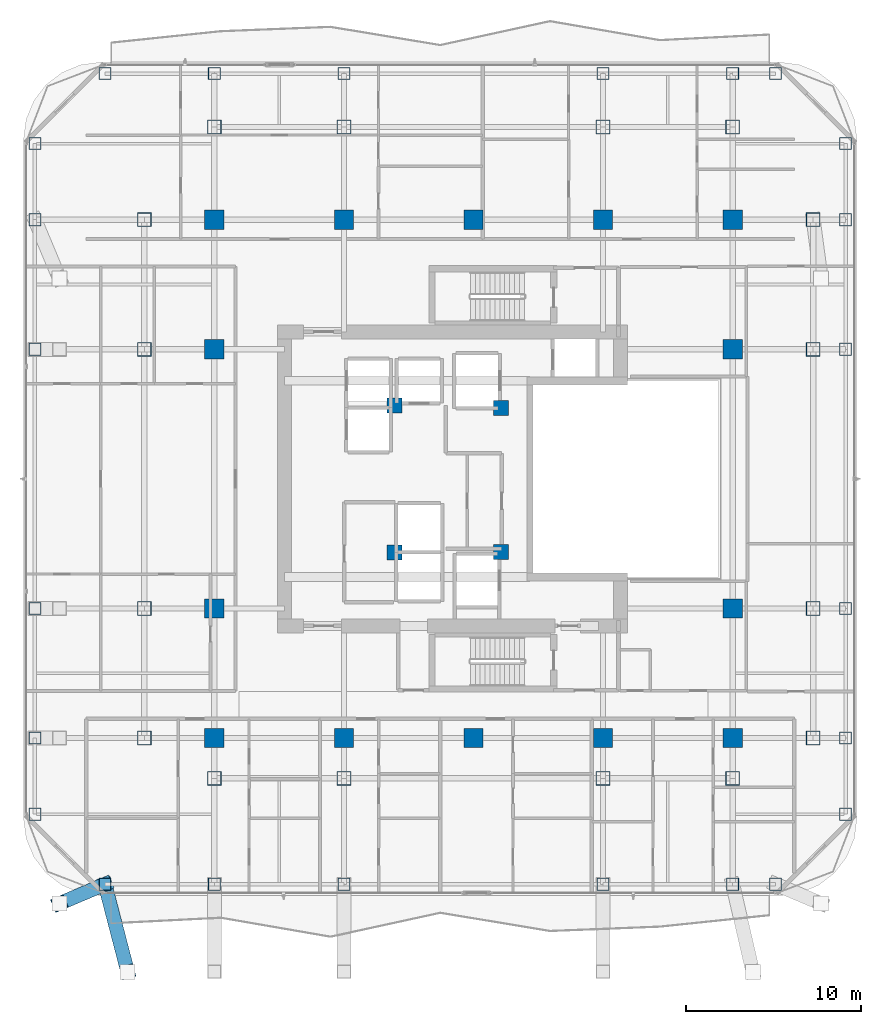
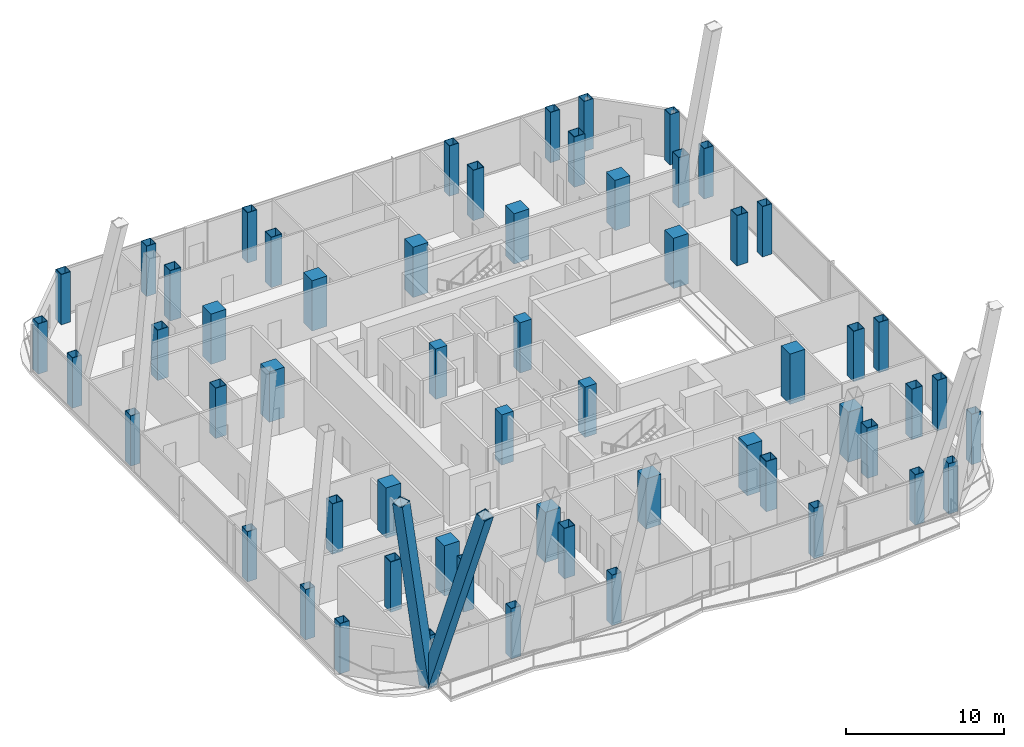
# One storey, part 1 of 34: 58 columns, 2 members.
"""IFC4 building model written with IfcOpenShell, lengths in metres."""

from ifc_helpers import new_model, si_unit, direction, frame, origin, origin_2d, place, context, subcontext, project, spatial, rectangle, hollow_rectangle, extrude, material, material_profile, profile_set, type_object, element, save


model = new_model("IFC4")

# Units and contexts
model_context = context("Model", 3, precision=1e-05, world=origin(), true_north=direction((0.0, 1.0)))
body_context = subcontext(model_context, "Body", "Model", "MODEL_VIEW")
ifc_project = project(units=[si_unit("LENGTHUNIT", "METRE"), si_unit("AREAUNIT", "SQUARE_METRE"), si_unit("VOLUMEUNIT", "CUBIC_METRE"), si_unit("PLANEANGLEUNIT", "RADIAN"), si_unit("MASSUNIT", "GRAM", prefix="KILO")], contexts=[model_context])

# Site, building, storey
site_placement = place(None, origin())
site = spatial("IfcSite", under=ifc_project, at=site_placement, CompositionType="ELEMENT")
building_placement = place(site_placement, origin())
building = spatial("IfcBuilding", under=site, at=building_placement, Name="Khorvyn Point Tower", CompositionType="ELEMENT")
storey_placement = place(building_placement, frame((0.0, 0.0, 175.800048828125)))
storey = spatial("IfcBuildingStorey", under=building, at=storey_placement, Name="L43", CompositionType="ELEMENT", Elevation=175.800048828125)

# Columns
ifc_material_1 = material(Name="Concrete C40/50", Category="concrete")
ifc_material_profile_1 = material_profile(ifc_material_1, rectangle(XDim=0.85009765625, YDim=0.85009765625, at=origin_2d()))
ifc_profile_set_1 = profile_set([ifc_material_profile_1], Name="Concrete C40/50 RC850x850")
column_type_1 = type_object("IfcColumnType", Name="Concrete C40/50 Column RC850x850", PredefinedType="COLUMN", material=ifc_profile_set_1)
for number, where, z_axis, x_axis, name in (
    (1, (-4.52001953125, -4.199951171875, 0.0), (0.0, 0.0, 1.0), (1.0, 0.0, 0.0), "L43 Crown Core Spine Column 1"),
    (2, (1.580078125, -4.179931640625, 0.0), (0.0, 0.0, 1.0), (1.0, 0.0, 0.0), "L43 Crown Core Spine Column 2"),
    (3, (1.580078125, 4.050048828125, 0.0), (0.0, 0.0, 1.0), (1.0, 0.0, 0.0), "L43 Crown Core Spine Column 3"),
    (4, (-4.52001953125, 4.199951171875, 0.0), (0.0, 0.0, 1.0), (1.0, 0.0, 0.0), "L43 Crown Core Spine Column 4"),
):
    element("IfcColumn", number, at=place(storey_placement, frame(where, z_axis=z_axis, x_axis=x_axis)), inside=storey, type_object=column_type_1, Name=name, PredefinedType="COLUMN", context=body_context, shape_type="SweptSolid", body=[
        extrude(rectangle(XDim=0.85009765625, YDim=0.85009765625, at=origin_2d()), origin(), (0.0, 0.0, 1.0), 3.89990234375),
    ])
ifc_material_2 = material(Name="Concrete C45/55", Category="concrete")
ifc_material_profile_2 = material_profile(ifc_material_2, rectangle(XDim=1.10009765625, YDim=1.10009765625, at=origin_2d()))
ifc_profile_set_2 = profile_set([ifc_material_profile_2], Name="Concrete C45/55 RC1100x1100")
column_type_2 = type_object("IfcColumnType", Name="Concrete C45/55 Column RC1100x1100", PredefinedType="COLUMN", material=ifc_profile_set_2)
for number, where, z_axis, x_axis, name in (
    (5, (-14.800048828125, -14.800048828125, 0.0), (0.0, 0.0, 1.0), (1.0, 0.0, 0.0), "L43 Mega-Column MC-01"),
    (6, (-7.39990234375, -14.800048828125, 0.0), (0.0, 0.0, 1.0), (1.0, 0.0, 0.0), "L43 Mega-Column MC-02"),
    (7, (0.0, -14.800048828125, 0.0), (0.0, 0.0, 1.0), (1.0, 0.0, 0.0), "L43 Mega-Column MC-03"),
    (8, (7.39990234375, -14.800048828125, 0.0), (0.0, 0.0, 1.0), (1.0, 0.0, 0.0), "L43 Mega-Column MC-04"),
    (9, (14.800048828125, -14.800048828125, 0.0), (0.0, 0.0, 1.0), (1.0, 0.0, 0.0), "L43 Mega-Column MC-05"),
    (10, (-14.800048828125, 14.800048828125, 0.0), (0.0, 0.0, 1.0), (1.0, 0.0, 0.0), "L43 Mega-Column MC-06"),
    (11, (-7.39990234375, 14.800048828125, 0.0), (0.0, 0.0, 1.0), (1.0, 0.0, 0.0), "L43 Mega-Column MC-07"),
    (12, (0.0, 14.800048828125, 0.0), (0.0, 0.0, 1.0), (1.0, 0.0, 0.0), "L43 Mega-Column MC-08"),
    (13, (7.39990234375, 14.800048828125, 0.0), (0.0, 0.0, 1.0), (1.0, 0.0, 0.0), "L43 Mega-Column MC-09"),
    (14, (14.800048828125, 14.800048828125, 0.0), (0.0, 0.0, 1.0), (1.0, 0.0, 0.0), "L43 Mega-Column MC-10"),
    (15, (-14.800048828125, -7.39990234375, 0.0), (0.0, 0.0, 1.0), (1.0, 0.0, 0.0), "L43 Mega-Column MC-11"),
    (16, (-14.800048828125, 7.39990234375, 0.0), (0.0, 0.0, 1.0), (1.0, 0.0, 0.0), "L43 Mega-Column MC-12"),
    (17, (14.800048828125, -7.39990234375, 0.0), (0.0, 0.0, 1.0), (1.0, 0.0, 0.0), "L43 Mega-Column MC-13"),
    (18, (14.800048828125, 7.39990234375, 0.0), (0.0, 0.0, 1.0), (1.0, 0.0, 0.0), "L43 Mega-Column MC-14"),
):
    element("IfcColumn", number, at=place(storey_placement, frame(where, z_axis=z_axis, x_axis=x_axis)), inside=storey, type_object=column_type_2, Name=name, PredefinedType="COLUMN", context=body_context, shape_type="SweptSolid", body=[
        extrude(rectangle(XDim=1.10009765625, YDim=1.10009765625, at=origin_2d()), origin(), (0.0, 0.0, 1.0), 3.89990234375),
    ])
ifc_material_3 = material(Name="Steel S450", Category="steel")
ifc_material_profile_3 = material_profile(ifc_material_3, hollow_rectangle(XDim=0.699951171875, YDim=0.699951171875, WallThickness=0.031982421875, at=origin_2d()))
ifc_profile_set_3 = profile_set([ifc_material_profile_3], Name="Steel S450 BOX700x700x32")
column_type_3 = type_object("IfcColumnType", Name="Steel S450 Structural Column BOX700x700x32", PredefinedType="COLUMN", material=ifc_profile_set_3)
for number, where, z_axis, x_axis, name in (
    (19, (-21.050048828125, -23.14990234375, 0.0), (0.0, 0.0, 1.0), (1.0, 0.0, 0.0), "L43 Perimeter Tube Column TC-01"),
    (20, (17.25, -23.14990234375, 0.0), (0.0, 0.0, 1.0), (1.0, 0.0, 0.0), "L43 Perimeter Tube Column TC-02"),
    (21, (-21.050048828125, 23.14990234375, 0.0), (0.0, 0.0, 1.0), (1.0, 0.0, 0.0), "L43 Perimeter Tube Column TC-03"),
    (22, (17.25, 23.14990234375, 0.0), (0.0, 0.0, 1.0), (1.0, 0.0, 0.0), "L43 Perimeter Tube Column TC-04"),
    (23, (-25.050048828125, -19.14990234375, 0.0), (0.0, 0.0, 1.0), (1.0, 0.0, 0.0), "L43 Perimeter Tube Column TC-05"),
    (24, (-25.050048828125, 19.14990234375, 0.0), (0.0, 0.0, 1.0), (1.0, 0.0, 0.0), "L43 Perimeter Tube Column TC-06"),
    (25, (21.25, -19.14990234375, 0.0), (0.0, 0.0, 1.0), (1.0, 0.0, 0.0), "L43 Perimeter Tube Column TC-07"),
    (26, (21.25, 19.14990234375, 0.0), (0.0, 0.0, 1.0), (1.0, 0.0, 0.0), "L43 Perimeter Tube Column TC-08"),
    (27, (-14.800048828125, -23.14990234375, 0.0), (0.0, 0.0, 1.0), (1.0, 0.0, 0.0), "L43 Perimeter Tube Column TC-09"),
    (28, (-14.800048828125, 23.14990234375, 0.0), (0.0, 0.0, 1.0), (1.0, 0.0, 0.0), "L43 Perimeter Tube Column TC-10"),
    (29, (-7.39990234375, -23.14990234375, 0.0), (0.0, 0.0, 1.0), (1.0, 0.0, 0.0), "L43 Perimeter Tube Column TC-11"),
    (30, (-7.39990234375, 23.14990234375, 0.0), (0.0, 0.0, 1.0), (1.0, 0.0, 0.0), "L43 Perimeter Tube Column TC-12"),
    (31, (7.39990234375, -23.14990234375, 0.0), (0.0, 0.0, 1.0), (1.0, 0.0, 0.0), "L43 Perimeter Tube Column TC-13"),
    (32, (7.39990234375, 23.14990234375, 0.0), (0.0, 0.0, 1.0), (1.0, 0.0, 0.0), "L43 Perimeter Tube Column TC-14"),
    (33, (14.800048828125, -23.14990234375, 0.0), (0.0, 0.0, 1.0), (1.0, 0.0, 0.0), "L43 Perimeter Tube Column TC-15"),
    (34, (14.800048828125, 23.14990234375, 0.0), (0.0, 0.0, 1.0), (1.0, 0.0, 0.0), "L43 Perimeter Tube Column TC-16"),
    (35, (-25.050048828125, -14.800048828125, 0.0), (0.0, 0.0, 1.0), (1.0, 0.0, 0.0), "L43 Perimeter Tube Column TC-17"),
    (36, (21.25, -14.800048828125, 0.0), (0.0, 0.0, 1.0), (1.0, 0.0, 0.0), "L43 Perimeter Tube Column TC-18"),
    (37, (-25.050048828125, -7.39990234375, 0.0), (0.0, 0.0, 1.0), (1.0, 0.0, 0.0), "L43 Perimeter Tube Column TC-19"),
    (38, (21.25, -7.39990234375, 0.0), (0.0, 0.0, 1.0), (1.0, 0.0, 0.0), "L43 Perimeter Tube Column TC-20"),
    (39, (-25.050048828125, 7.39990234375, 0.0), (0.0, 0.0, 1.0), (1.0, 0.0, 0.0), "L43 Perimeter Tube Column TC-21"),
    (40, (21.25, 7.39990234375, 0.0), (0.0, 0.0, 1.0), (1.0, 0.0, 0.0), "L43 Perimeter Tube Column TC-22"),
    (41, (-25.050048828125, 14.800048828125, 0.0), (0.0, 0.0, 1.0), (1.0, 0.0, 0.0), "L43 Perimeter Tube Column TC-23"),
    (42, (21.25, 14.800048828125, 0.0), (0.0, 0.0, 1.0), (1.0, 0.0, 0.0), "L43 Perimeter Tube Column TC-24"),
):
    element("IfcColumn", number, at=place(storey_placement, frame(where, z_axis=z_axis, x_axis=x_axis)), inside=storey, type_object=column_type_3, Name=name, PredefinedType="COLUMN", context=body_context, shape_type="SweptSolid", body=[
        extrude(hollow_rectangle(XDim=0.699951171875, YDim=0.699951171875, WallThickness=0.031982421875, at=origin_2d()), origin(), (0.0, 0.0, 1.0), 3.89990234375),
    ])
ifc_material_profile_4 = material_profile(ifc_material_3, hollow_rectangle(XDim=0.800048828125, YDim=0.800048828125, WallThickness=0.035888671875, at=origin_2d()))
ifc_profile_set_4 = profile_set([ifc_material_profile_4], Name="Steel S450 BOX800x800x36")
column_type_4 = type_object("IfcColumnType", Name="Steel S450 Structural Column BOX800x800x36", PredefinedType="COLUMN", material=ifc_profile_set_4)
for number, where, z_axis, x_axis, name in (
    (43, (-18.800048828125, -14.800048828125, 0.0), (0.0, 0.0, 1.0), (1.0, 0.0, 0.0), "L43 Intermediate Column ICW--14"),
    (44, (-18.800048828125, -7.39990234375, 0.0), (0.0, 0.0, 1.0), (1.0, 0.0, 0.0), "L43 Intermediate Column ICW--7"),
    (45, (-18.800048828125, 7.39990234375, 0.0), (0.0, 0.0, 1.0), (1.0, 0.0, 0.0), "L43 Intermediate Column ICW-7"),
    (46, (-18.800048828125, 14.800048828125, 0.0), (0.0, 0.0, 1.0), (1.0, 0.0, 0.0), "L43 Intermediate Column ICW-14"),
    (47, (19.39990234375, -14.800048828125, 0.0), (0.0, 0.0, 1.0), (1.0, 0.0, 0.0), "L43 Intermediate Column ICE--14"),
    (48, (19.39990234375, -7.39990234375, 0.0), (0.0, 0.0, 1.0), (1.0, 0.0, 0.0), "L43 Intermediate Column ICE--7"),
    (49, (19.39990234375, 7.39990234375, 0.0), (0.0, 0.0, 1.0), (1.0, 0.0, 0.0), "L43 Intermediate Column ICE-7"),
    (50, (19.39990234375, 14.800048828125, 0.0), (0.0, 0.0, 1.0), (1.0, 0.0, 0.0), "L43 Intermediate Column ICE-14"),
    (51, (-14.800048828125, -17.10009765625, 0.0), (0.0, 0.0, 1.0), (1.0, 0.0, 0.0), "L43 Intermediate Column ICS--14"),
    (52, (-7.39990234375, -17.10009765625, 0.0), (0.0, 0.0, 1.0), (1.0, 0.0, 0.0), "L43 Intermediate Column ICS--7"),
    (53, (7.39990234375, -17.10009765625, 0.0), (0.0, 0.0, 1.0), (1.0, 0.0, 0.0), "L43 Intermediate Column ICS-7"),
    (54, (14.800048828125, -17.10009765625, 0.0), (0.0, 0.0, 1.0), (1.0, 0.0, 0.0), "L43 Intermediate Column ICS-14"),
    (55, (-14.800048828125, 20.10009765625, 0.0), (0.0, 0.0, 1.0), (1.0, 0.0, 0.0), "L43 Intermediate Column ICN--14"),
    (56, (-7.39990234375, 20.10009765625, 0.0), (0.0, 0.0, 1.0), (1.0, 0.0, 0.0), "L43 Intermediate Column ICN--7"),
    (57, (7.39990234375, 20.10009765625, 0.0), (0.0, 0.0, 1.0), (1.0, 0.0, 0.0), "L43 Intermediate Column ICN-7"),
    (58, (14.800048828125, 20.10009765625, 0.0), (0.0, 0.0, 1.0), (1.0, 0.0, 0.0), "L43 Intermediate Column ICN-14"),
):
    element("IfcColumn", number, at=place(storey_placement, frame(where, z_axis=z_axis, x_axis=x_axis)), inside=storey, type_object=column_type_4, Name=name, PredefinedType="COLUMN", context=body_context, shape_type="SweptSolid", body=[
        extrude(hollow_rectangle(XDim=0.800048828125, YDim=0.800048828125, WallThickness=0.035888671875, at=origin_2d()), origin(), (0.0, 0.0, 1.0), 3.89990234375),
    ])

# Members
ifc_material_profile_5 = material_profile(ifc_material_3, hollow_rectangle(XDim=0.800048828125, YDim=0.800048828125, WallThickness=0.035888671875, at=origin_2d()))
ifc_profile_set_5 = profile_set([ifc_material_profile_5], Name="Steel S450 BOX800x800x36")
member_type = type_object("IfcMemberType", Name="Steel S450 Exoskeleton Structural Post BOX800x800x36", PredefinedType="POST", material=ifc_profile_set_5)
member_1_placement = place(storey_placement, frame((-21.050048828125, -23.14990234375, 0.0), z_axis=(0.079111778194, -0.304264641767, 0.949296768309), x_axis=(0.967820204991, 0.251642704667, 0.0)))
element("IfcMember", 59, at=member_1_placement, inside=storey, type_object=member_type, Name="L43 to L47 Exoskeleton Transfer Post 01", PredefinedType="POST", context=body_context, shape_type="SweptSolid", body=[
    extrude(hollow_rectangle(XDim=0.800048828125, YDim=0.800048828125, WallThickness=0.035888671875, at=origin_2d()), origin(), (0.0, 0.0, 1.0), 16.43310546875),
])
member_2_placement = place(storey_placement, frame((-21.050048828125, -23.14990234375, 0.0), z_axis=(-0.163995199191, -0.06939265354, 0.984017395312), x_axis=(0.389687951475, -0.920946958557, 0.0)))
element("IfcMember", 60, at=member_2_placement, inside=storey, type_object=member_type, Name="L43 to L47 Exoskeleton Transfer Post 03", PredefinedType="POST", context=body_context, shape_type="SweptSolid", body=[
    extrude(hollow_rectangle(XDim=0.800048828125, YDim=0.800048828125, WallThickness=0.035888671875, at=origin_2d()), origin(), (0.0, 0.0, 1.0), 15.853271484375),
])

save(model, "model.ifc")
